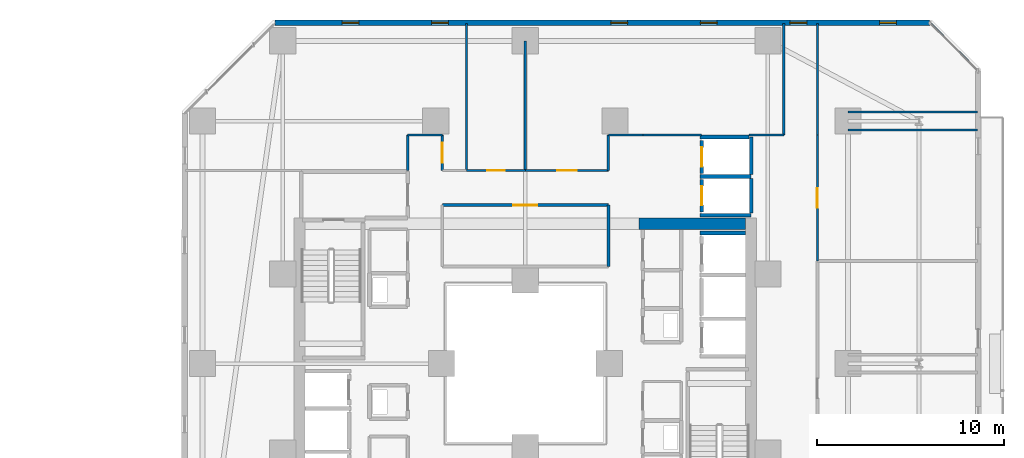
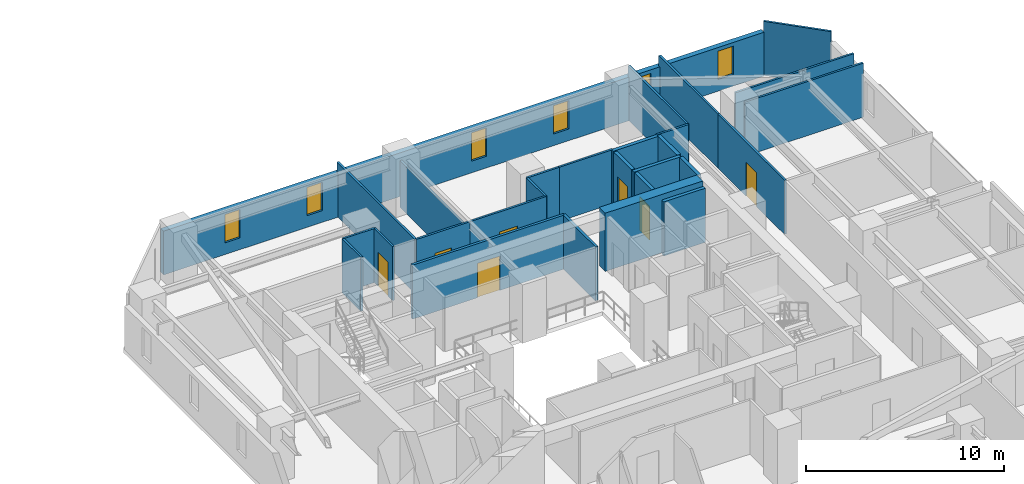
# One storey, part 25 of 33: 29 walls, 7 doors, 6 windows, 13 openings.
"""IFC4 building model written with IfcOpenShell, lengths in metres."""

from ifc_helpers import new_model, si_unit, direction, frame, frame_2d, origin, place, context, subcontext, project, spatial, rectangle, extrude, material, layer, layer_set, type_object, element, fill, save


model = new_model("IFC4")

# Units and contexts
model_context = context("Model", 3, precision=1e-05, world=origin(), true_north=direction((0.0, 1.0)))
body_context = subcontext(model_context, "Body", "Model", "MODEL_VIEW")
ifc_project = project(units=[si_unit("LENGTHUNIT", "METRE"), si_unit("AREAUNIT", "SQUARE_METRE"), si_unit("VOLUMEUNIT", "CUBIC_METRE"), si_unit("PLANEANGLEUNIT", "RADIAN"), si_unit("MASSUNIT", "GRAM", prefix="KILO")], contexts=[model_context])

# Site, building, storey
site_placement = place(None, origin())
site = spatial("IfcSite", under=ifc_project, at=site_placement, CompositionType="ELEMENT")
building_placement = place(site_placement, origin())
building = spatial("IfcBuilding", under=site, at=building_placement, Name="Thornwick Lancets Civic Towers", CompositionType="ELEMENT")
storey_placement = place(building_placement, frame((0.0, 0.0, 42.300048828125)))
storey = spatial("IfcBuildingStorey", under=building, at=storey_placement, Name="L10", CompositionType="ELEMENT", Elevation=42.300048828125)

# Wall, opening, door
ifc_material_1 = material(Name="Concrete blockwork C40/50", Category="masonry")
ifc_layer_1 = layer(ifc_material_1, 0.199951171875, Name="Concrete blockwork C40/50")
ifc_layer_set_1 = layer_set([ifc_layer_1], Name="Concrete blockwork C40/50")
wall_type_1 = type_object("IfcWallType", Name="WALL_COMP_200", PredefinedType="STANDARD", material=ifc_layer_set_1)
wall_1_placement = place(storey_placement, frame((97.949951171875, 36.8701171875, 0.0), z_axis=(0.0, 0.0, 1.0), x_axis=(0.0, -1.0, 0.0)))
wall_1 = element("IfcWall", 1, at=wall_1_placement, inside=storey, type_object=wall_type_1, Name="L10 Hoistway Front Wall PL-BL2", PredefinedType="STANDARD", context=body_context, shape_type="SweptSolid", body=[
    extrude(rectangle(XDim=1.740234375, YDim=0.199951171875, at=frame_2d((0.8701171875, 0.0))), origin(), (0.0, 0.0, 1.0), 3.33984375),
])
opening_1_placement = place(wall_1_placement, frame((0.360107421875, 0.0, 0.0)))
opening_1 = element("IfcOpeningElement", 2, at=opening_1_placement, cuts=wall_1, Name="Opening LD-PL-BL2", PredefinedType="OPENING", context=body_context, shape_type="SweptSolid", body=[
    extrude(rectangle(XDim=1.02001953125, YDim=2.06005859375, at=frame_2d((0.510009765625, 1.030029296875))), frame((0.0, 0.10986328125, 0.0), z_axis=(0.0, -1.0, 0.0), x_axis=(1.0, 0.0, 0.0)), (0.0, 0.0, 1.0), 0.219970703125),
])
ifc_material_2 = material(Name="Brushed bronze stainless steel", Category="steel")
door_type_1 = type_object("IfcDoorType", Name="DOOR_LIFT_SLIDE", OperationType="SLIDING_TO_LEFT", PredefinedType="DOOR", material=ifc_material_2)
door_1_placement = place(opening_1_placement, origin())
door_1 = element("IfcDoor", 3, at=door_1_placement, inside=storey, type_object=door_type_1, Name="L10 Sliding Lift Landing Door LD-PL-BL2", OperationType="SLIDING_TO_LEFT", OverallHeight=2.06005859375, OverallWidth=1.02001953125, PredefinedType="DOOR", context=body_context, shape_type="SweptSolid", body=[
    extrude(rectangle(XDim=1.02001953125, YDim=2.06005859375, at=frame_2d((0.510009765625, 1.030029296875))), frame((0.0, 0.02490234375, 0.0), z_axis=(0.0, -1.0, 0.0), x_axis=(1.0, 0.0, 0.0)), (0.0, 0.0, 1.0), 0.050048828125),
])
fill(opening_1, door_1)

wall_2_placement = place(storey_placement, frame((97.949951171875, 38.969970703125, 0.0), z_axis=(0.0, 0.0, 1.0), x_axis=(0.0, -1.0, 0.0)))
wall_2 = element("IfcWall", 4, at=wall_2_placement, inside=storey, type_object=wall_type_1, Name="L10 Hoistway Front Wall PL-BL3", PredefinedType="STANDARD", context=body_context, shape_type="SweptSolid", body=[
    extrude(rectangle(XDim=1.7900390625, YDim=0.199951171875, at=frame_2d((0.89501953125, 0.0))), origin(), (0.0, 0.0, 1.0), 3.33984375),
])
opening_2_placement = place(wall_2_placement, frame((0.385009765625, 0.0, 0.0)))
opening_2 = element("IfcOpeningElement", 5, at=opening_2_placement, cuts=wall_2, Name="Opening LD-PL-BL3", PredefinedType="OPENING", context=body_context, shape_type="SweptSolid", body=[
    extrude(rectangle(XDim=1.02001953125, YDim=2.06005859375, at=frame_2d((0.510009765625, 1.030029296875))), frame((0.0, 0.10986328125, 0.0), z_axis=(0.0, -1.0, 0.0), x_axis=(1.0, 0.0, 0.0)), (0.0, 0.0, 1.0), 0.219970703125),
])
door_2_placement = place(opening_2_placement, origin())
door_2 = element("IfcDoor", 6, at=door_2_placement, inside=storey, type_object=door_type_1, Name="L10 Sliding Lift Landing Door LD-PL-BL3", OperationType="SLIDING_TO_LEFT", OverallHeight=2.06005859375, OverallWidth=1.02001953125, PredefinedType="DOOR", context=body_context, shape_type="SweptSolid", body=[
    extrude(rectangle(XDim=1.02001953125, YDim=2.06005859375, at=frame_2d((0.510009765625, 1.030029296875))), frame((0.0, 0.02490234375, 0.0), z_axis=(0.0, -1.0, 0.0), x_axis=(1.0, 0.0, 0.0)), (0.0, 0.0, 1.0), 0.050048828125),
])
fill(opening_2, door_2)

# Walls
wall_3_placement = place(storey_placement, frame((97.85205078125, 34.0, 0.0), z_axis=(0.0, 0.0, 1.0), x_axis=(1.0, 0.0, 0.0)))
element("IfcWall", 7, at=wall_3_placement, inside=storey, type_object=wall_type_1, Name="L10 Hoistway Shaft Wall PL-BL1 N", PredefinedType="STANDARD", context=body_context, shape_type="SweptSolid", body=[
    extrude(rectangle(XDim=2.43603515625, YDim=0.199951171875, at=frame_2d((1.218017578125, 0.0))), origin(), (0.0, 0.0, 1.0), 3.33984375),
])
for number, where, z_axis, x_axis, name in (
    (8, (97.85205078125, 37.02490234375, 0.0), (0.0, 0.0, 1.0), (1.0, 0.0, 0.0), "L10 Hoistway Shaft Wall PL-BL2 N"),
    (9, (97.85205078125, 34.949951171875, 0.0), (0.0, 0.0, 1.0), (1.0, 0.0, 0.0), "L10 Hoistway Shaft Wall PL-BL2 S"),
):
    element("IfcWall", number, at=place(storey_placement, frame(where, z_axis=z_axis, x_axis=x_axis)), inside=storey, type_object=wall_type_1, Name=name, PredefinedType="STANDARD", context=body_context, shape_type="SweptSolid", body=[
        extrude(rectangle(XDim=2.745849609375, YDim=0.199951171875, at=frame_2d((1.373046875, 0.0))), origin(), (0.0, 0.0, 1.0), 3.33984375),
    ])
wall_4_placement = place(storey_placement, frame((100.60009765625, 35.06201171875, 0.0), z_axis=(0.0, 0.0, 1.0), x_axis=(0.0, 1.0, 0.0)))
element("IfcWall", 10, at=wall_4_placement, inside=storey, type_object=wall_type_1, Name="L10 Hoistway Shaft Wall PL-BL2 E", PredefinedType="STANDARD", context=body_context, shape_type="SweptSolid", body=[
    extrude(rectangle(XDim=1.85595703125, YDim=0.199951171875, at=frame_2d((0.927978515625, 0.0))), origin(), (0.0, 0.0, 1.0), 3.33984375),
])
wall_5_placement = place(storey_placement, frame((100.60009765625, 37.132080078125, 0.0), z_axis=(0.0, 0.0, 1.0), x_axis=(0.0, 1.0, 0.0)))
element("IfcWall", 11, at=wall_5_placement, inside=storey, type_object=wall_type_1, Name="L10 Hoistway Shaft Wall PL-BL2 E", PredefinedType="STANDARD", context=body_context, shape_type="SweptSolid", body=[
    extrude(rectangle(XDim=2.015869140625, YDim=0.199951171875, at=frame_2d((1.0078125, 0.0))), origin(), (0.0, 0.0, 1.0), 3.33984375),
])
wall_6_placement = place(storey_placement, frame((97.85205078125, 39.14990234375, 0.0), z_axis=(0.0, 0.0, 1.0), x_axis=(1.0, 0.0, 0.0)))
element("IfcWall", 12, at=wall_6_placement, inside=storey, type_object=wall_type_1, Name="L10 Hoistway Shaft Wall PL-BL3 N", PredefinedType="STANDARD", context=body_context, shape_type="SweptSolid", body=[
    extrude(rectangle(XDim=2.635986328125, YDim=0.199951171875, at=frame_2d((1.31787109375, 0.0))), origin(), (0.0, 0.0, 1.0), 3.33984375),
])
ifc_material_3 = material(Name="Concrete C60/75", Category="concrete")
ifc_layer_2 = layer(ifc_material_3, 0.60009765625, Name="Concrete C60/75")
ifc_layer_set_2 = layer_set([ifc_layer_2], Name="Concrete C60/75")
wall_type_2 = type_object("IfcWallType", Name="WALL_CORE_600", PredefinedType="SHEAR", material=ifc_layer_set_2)
wall_7_placement = place(storey_placement, frame((94.60009765625, 34.5, 0.0), z_axis=(0.0, 0.0, 1.0), x_axis=(1.0, 0.0, 0.0)))
element("IfcWall", 13, at=wall_7_placement, inside=storey, type_object=wall_type_2, Name="L10 Split Core B1 Shear Wall N", PredefinedType="SHEAR", context=body_context, shape_type="SweptSolid", body=[
    extrude(rectangle(XDim=5.699951171875, YDim=0.60009765625, at=frame_2d((2.85009765625, 0.0))), origin(), (0.0, 0.0, 1.0), 3.599853515625),
])

# Wall, openings, windows
ifc_material_4 = material(Name="Insulated russet terracotta rainscreen on concrete C40/50", Category="masonry")
ifc_layer_3 = layer(ifc_material_4, 0.300048828125, Name="Insulated russet terracotta rainscreen on concrete C40/50")
ifc_layer_set_3 = layer_set([ifc_layer_3], Name="Insulated russet terracotta rainscreen on concrete C40/50")
wall_type_3 = type_object("IfcWallType", Name="WALL_EXT_RUSSET_300", PredefinedType="STANDARD", material=ifc_layer_set_3)
wall_8_placement = place(storey_placement, frame((110.18115234375, 45.264892578125, 0.0), z_axis=(0.0, 0.0, 1.0), x_axis=(-0.999999978205, -0.000208784245, 0.0)))
wall_8 = element("IfcWall", 14, at=wall_8_placement, inside=storey, type_object=wall_type_3, Name="L10 Tower B Terracotta Facade Wall E4", PredefinedType="STANDARD", context=body_context, shape_type="SweptSolid", body=[
    extrude(rectangle(XDim=35.080322265625, YDim=0.300048828125, at=frame_2d((17.5400390625, 0.0))), origin(), (0.0, 0.0, 1.0), 2.699951171875),
])
opening_3_placement = place(wall_8_placement, frame((1.800048828125, 0.0, 0.719970703125)))
opening_3 = element("IfcOpeningElement", 15, at=opening_3_placement, cuts=wall_8, Name="Opening WL-01", PredefinedType="OPENING", context=body_context, shape_type="SweptSolid", body=[
    extrude(rectangle(XDim=0.89990234375, YDim=1.75, at=frame_2d((0.449951171875, 0.875))), frame((0.0, 0.16015625, 0.0), z_axis=(0.0, -1.0, 0.0), x_axis=(1.0, 0.0, 0.0)), (0.0, 0.0, 1.0), 0.320068359375),
])
opening_4_placement = place(wall_8_placement, frame((6.60009765625, 0.0, 0.719970703125)))
opening_4 = element("IfcOpeningElement", 16, at=opening_4_placement, cuts=wall_8, Name="Opening WL-01", PredefinedType="OPENING", context=body_context, shape_type="SweptSolid", body=[
    extrude(rectangle(XDim=0.89990234375, YDim=1.75, at=frame_2d((0.449951171875, 0.875))), frame((0.0, 0.16015625, 0.0), z_axis=(0.0, -1.0, 0.0), x_axis=(1.0, 0.0, 0.0)), (0.0, 0.0, 1.0), 0.320068359375),
])
opening_5_placement = place(wall_8_placement, frame((11.39990234375, 0.0, 0.719970703125)))
opening_5 = element("IfcOpeningElement", 17, at=opening_5_placement, cuts=wall_8, Name="Opening WL-01", PredefinedType="OPENING", context=body_context, shape_type="SweptSolid", body=[
    extrude(rectangle(XDim=0.89990234375, YDim=1.75, at=frame_2d((0.449951171875, 0.875))), frame((0.0, 0.16015625, 0.0), z_axis=(0.0, -1.0, 0.0), x_axis=(1.0, 0.0, 0.0)), (0.0, 0.0, 1.0), 0.320068359375),
])
opening_6_placement = place(wall_8_placement, frame((16.199951171875, 0.0, 0.719970703125)))
opening_6 = element("IfcOpeningElement", 18, at=opening_6_placement, cuts=wall_8, Name="Opening WL-01", PredefinedType="OPENING", context=body_context, shape_type="SweptSolid", body=[
    extrude(rectangle(XDim=0.89990234375, YDim=1.75, at=frame_2d((0.449951171875, 0.875))), frame((0.0, 0.16015625, 0.0), z_axis=(0.0, -1.0, 0.0), x_axis=(1.0, 0.0, 0.0)), (0.0, 0.0, 1.0), 0.320068359375),
])
opening_7_placement = place(wall_8_placement, frame((25.800048828125, 0.0, 0.719970703125)))
opening_7 = element("IfcOpeningElement", 19, at=opening_7_placement, cuts=wall_8, Name="Opening WL-01", PredefinedType="OPENING", context=body_context, shape_type="SweptSolid", body=[
    extrude(rectangle(XDim=0.89990234375, YDim=1.75, at=frame_2d((0.449951171875, 0.875))), frame((0.0, 0.16015625, 0.0), z_axis=(0.0, -1.0, 0.0), x_axis=(1.0, 0.0, 0.0)), (0.0, 0.0, 1.0), 0.320068359375),
])
opening_8_placement = place(wall_8_placement, frame((30.60009765625, 0.0, 0.719970703125)))
opening_8 = element("IfcOpeningElement", 20, at=opening_8_placement, cuts=wall_8, Name="Opening WL-01", PredefinedType="OPENING", context=body_context, shape_type="SweptSolid", body=[
    extrude(rectangle(XDim=0.89990234375, YDim=1.75, at=frame_2d((0.449951171875, 0.875))), frame((0.0, 0.16015625, 0.0), z_axis=(0.0, -1.0, 0.0), x_axis=(1.0, 0.0, 0.0)), (0.0, 0.0, 1.0), 0.320068359375),
])
ifc_material_5 = material(Name="Clear low-e double glazing in bronze frame", Category="glass")
window_type = type_object("IfcWindowType", Name="WIN_LANCET_900", PartitioningType="SINGLE_PANEL", PredefinedType="WINDOW", material=ifc_material_5)
window_1_placement = place(opening_3_placement, origin())
window_1 = element("IfcWindow", 21, at=window_1_placement, inside=storey, type_object=window_type, Name="L10 Tower B Staggered Lancet Window E4-1", OverallHeight=1.75, OverallWidth=0.89990234375, PartitioningType="SINGLE_PANEL", PredefinedType="WINDOW", context=body_context, shape_type="SweptSolid", body=[
    extrude(rectangle(XDim=0.89990234375, YDim=1.75, at=frame_2d((0.449951171875, 0.875))), frame((0.0, 0.030029296875, 0.0), z_axis=(0.0, -1.0, 0.0), x_axis=(1.0, 0.0, 0.0)), (0.0, 0.0, 1.0), 0.06005859375),
])
fill(opening_3, window_1)
window_2_placement = place(opening_4_placement, origin())
window_2 = element("IfcWindow", 22, at=window_2_placement, inside=storey, type_object=window_type, Name="L10 Tower B Staggered Lancet Window E4-2", OverallHeight=1.75, OverallWidth=0.89990234375, PartitioningType="SINGLE_PANEL", PredefinedType="WINDOW", context=body_context, shape_type="SweptSolid", body=[
    extrude(rectangle(XDim=0.89990234375, YDim=1.75, at=frame_2d((0.449951171875, 0.875))), frame((0.0, 0.030029296875, 0.0), z_axis=(0.0, -1.0, 0.0), x_axis=(1.0, 0.0, 0.0)), (0.0, 0.0, 1.0), 0.06005859375),
])
fill(opening_4, window_2)
window_3_placement = place(opening_5_placement, origin())
window_3 = element("IfcWindow", 23, at=window_3_placement, inside=storey, type_object=window_type, Name="L10 Tower B Staggered Lancet Window E4-3", OverallHeight=1.75, OverallWidth=0.89990234375, PartitioningType="SINGLE_PANEL", PredefinedType="WINDOW", context=body_context, shape_type="SweptSolid", body=[
    extrude(rectangle(XDim=0.89990234375, YDim=1.75, at=frame_2d((0.449951171875, 0.875))), frame((0.0, 0.030029296875, 0.0), z_axis=(0.0, -1.0, 0.0), x_axis=(1.0, 0.0, 0.0)), (0.0, 0.0, 1.0), 0.06005859375),
])
fill(opening_5, window_3)
window_4_placement = place(opening_6_placement, origin())
window_4 = element("IfcWindow", 24, at=window_4_placement, inside=storey, type_object=window_type, Name="L10 Tower B Staggered Lancet Window E4-4", OverallHeight=1.75, OverallWidth=0.89990234375, PartitioningType="SINGLE_PANEL", PredefinedType="WINDOW", context=body_context, shape_type="SweptSolid", body=[
    extrude(rectangle(XDim=0.89990234375, YDim=1.75, at=frame_2d((0.449951171875, 0.875))), frame((0.0, 0.030029296875, 0.0), z_axis=(0.0, -1.0, 0.0), x_axis=(1.0, 0.0, 0.0)), (0.0, 0.0, 1.0), 0.06005859375),
])
fill(opening_6, window_4)
window_5_placement = place(opening_7_placement, origin())
window_5 = element("IfcWindow", 25, at=window_5_placement, inside=storey, type_object=window_type, Name="L10 Tower B Staggered Lancet Window E4-5", OverallHeight=1.75, OverallWidth=0.89990234375, PartitioningType="SINGLE_PANEL", PredefinedType="WINDOW", context=body_context, shape_type="SweptSolid", body=[
    extrude(rectangle(XDim=0.89990234375, YDim=1.75, at=frame_2d((0.449951171875, 0.875))), frame((0.0, 0.030029296875, 0.0), z_axis=(0.0, -1.0, 0.0), x_axis=(1.0, 0.0, 0.0)), (0.0, 0.0, 1.0), 0.06005859375),
])
fill(opening_7, window_5)
window_6_placement = place(opening_8_placement, origin())
window_6 = element("IfcWindow", 26, at=window_6_placement, inside=storey, type_object=window_type, Name="L10 Tower B Staggered Lancet Window E4-6", OverallHeight=1.75, OverallWidth=0.89990234375, PartitioningType="SINGLE_PANEL", PredefinedType="WINDOW", context=body_context, shape_type="SweptSolid", body=[
    extrude(rectangle(XDim=0.89990234375, YDim=1.75, at=frame_2d((0.449951171875, 0.875))), frame((0.0, 0.030029296875, 0.0), z_axis=(0.0, -1.0, 0.0), x_axis=(1.0, 0.0, 0.0)), (0.0, 0.0, 1.0), 0.06005859375),
])
fill(opening_8, window_6)

# Walls
ifc_material_6 = material(Name="Acoustic gypsum board partition")
ifc_layer_4 = layer(ifc_material_6, 0.1201171875, Name="Acoustic gypsum board partition")
ifc_layer_set_4 = layer_set([ifc_layer_4], Name="Acoustic gypsum board partition")
wall_type_4 = type_object("IfcWallType", Name="WALL_PART_120", PredefinedType="PARTITIONING", material=ifc_layer_set_4)
wall_9_placement = place(storey_placement, frame((97.949951171875, 39.25, 0.0), z_axis=(0.0, 0.0, 1.0), x_axis=(-1.0, 0.0, 0.0)))
element("IfcWall", 27, at=wall_9_placement, inside=storey, type_object=wall_type_4, Name="L10 Partition L10-B-E1 E1", PredefinedType="PARTITIONING", context=body_context, shape_type="SweptSolid", body=[
    extrude(rectangle(XDim=3.14990234375, YDim=0.1201171875, at=frame_2d((1.574951171875, 0.0))), origin(), (0.0, 0.0, 1.0), 3.33984375),
])
wall_10_placement = place(storey_placement, frame((94.800048828125, 39.25, 0.0), z_axis=(0.0, 0.0, 1.0), x_axis=(-1.0, 0.0, 0.0)))
element("IfcWall", 28, at=wall_10_placement, inside=storey, type_object=wall_type_4, Name="L10 Partition L10-B-E1 E2", PredefinedType="PARTITIONING", context=body_context, shape_type="SweptSolid", body=[
    extrude(rectangle(XDim=1.85009765625, YDim=0.1201171875, at=frame_2d((0.925048828125, 0.0))), origin(), (0.0, 0.0, 1.0), 3.33984375),
])
wall_11_placement = place(storey_placement, frame((92.949951171875, 39.25, 0.0), z_axis=(0.0, 0.0, 1.0), x_axis=(0.0, -1.0, 0.0)))
element("IfcWall", 29, at=wall_11_placement, inside=storey, type_object=wall_type_4, Name="L10 Partition L10-B-E1 E3", PredefinedType="PARTITIONING", context=body_context, shape_type="SweptSolid", body=[
    extrude(rectangle(XDim=1.89990234375, YDim=0.1201171875, at=frame_2d((0.949951171875, 0.0))), origin(), (0.0, 0.0, 1.0), 3.33984375),
])

# Wall, opening, door
wall_12_placement = place(storey_placement, frame((92.949951171875, 37.35009765625, 0.0), z_axis=(0.0, 0.0, 1.0), x_axis=(-1.0, 0.0, 0.0)))
wall_12 = element("IfcWall", 30, at=wall_12_placement, inside=storey, type_object=wall_type_4, Name="L10 Partition L10-B-E1 E4", PredefinedType="PARTITIONING", context=body_context, shape_type="SweptSolid", body=[
    extrude(rectangle(XDim=4.449951171875, YDim=0.1201171875, at=frame_2d((2.22509765625, 0.0))), origin(), (0.0, 0.0, 1.0), 3.33984375),
])
opening_9_placement = place(wall_12_placement, frame((1.699951171875, 0.0, 0.0)))
opening_9 = element("IfcOpeningElement", 31, at=opening_9_placement, cuts=wall_12, Name="Opening D-L10-0525", PredefinedType="OPENING", context=body_context, shape_type="SweptSolid", body=[
    extrude(rectangle(XDim=1.050048828125, YDim=2.10009765625, at=frame_2d((0.52490234375, 1.050048828125))), frame((0.0, 0.070068359375, 0.0), z_axis=(0.0, -1.0, 0.0), x_axis=(1.0, 0.0, 0.0)), (0.0, 0.0, 1.0), 0.14013671875),
])
ifc_material_7 = material(Name="Glazed European oak executive doorset")
door_type_2 = type_object("IfcDoorType", Name="DOOR_OFFICE_1050", OperationType="NOTDEFINED", PredefinedType="DOOR", material=ifc_material_7)
door_3_placement = place(opening_9_placement, origin())
door_3 = element("IfcDoor", 32, at=door_3_placement, inside=storey, type_object=door_type_2, Name="L10 Tower B Secretariat Open Office E1 Door", OperationType="SINGLE_SWING_RIGHT", OverallHeight=2.10009765625, OverallWidth=1.050048828125, PredefinedType="DOOR", context=body_context, shape_type="SweptSolid", body=[
    extrude(rectangle(XDim=1.050048828125, YDim=2.10009765625, at=frame_2d((0.52490234375, 1.050048828125))), frame((0.0, 0.02490234375, 0.0), z_axis=(0.0, -1.0, 0.0), x_axis=(1.0, 0.0, 0.0)), (0.0, 0.0, 1.0), 0.050048828125),
])
fill(opening_9, door_3)

# Walls
wall_13_placement = place(storey_placement, frame((88.5, 37.35009765625, 0.0), z_axis=(0.0, 0.0, 1.0), x_axis=(0.0, 1.0, 0.0)))
element("IfcWall", 33, at=wall_13_placement, inside=storey, type_object=wall_type_4, Name="L10 Partition L10-B-E1 E5", PredefinedType="PARTITIONING", context=body_context, shape_type="SweptSolid", body=[
    extrude(rectangle(XDim=6.949951171875, YDim=0.1201171875, at=frame_2d((3.47509765625, 0.0))), origin(), (0.0, 0.0, 1.0), 2.881591796875),
])
wall_14_placement = place(storey_placement, frame((102.35009765625, 45.219970703125, 0.0), z_axis=(0.0, 0.0, 1.0), x_axis=(0.0, -1.0, 0.0)))
element("IfcWall", 34, at=wall_14_placement, inside=storey, type_object=wall_type_4, Name="L10 Partition L10-B-E1 E13", PredefinedType="PARTITIONING", context=body_context, shape_type="SweptSolid", body=[
    extrude(rectangle(XDim=5.969970703125, YDim=0.1201171875, at=frame_2d((2.98486328125, 0.0))), origin(), (0.0, 0.0, 1.0), 3.33984375),
])
wall_15_placement = place(storey_placement, frame((102.35009765625, 39.25, 0.0), z_axis=(0.0, 0.0, 1.0), x_axis=(-1.0, 0.0, 0.0)))
element("IfcWall", 35, at=wall_15_placement, inside=storey, type_object=wall_type_4, Name="L10 Partition L10-B-E1 E14", PredefinedType="PARTITIONING", context=body_context, shape_type="SweptSolid", body=[
    extrude(rectangle(XDim=1.862060546875, YDim=0.1201171875, at=frame_2d((0.93115234375, 0.0))), origin(), (0.0, 0.0, 1.0), 3.33984375),
])
wall_16_placement = place(storey_placement, frame((85.35009765625, 37.35009765625, 0.0), z_axis=(0.0, 0.0, 1.0), x_axis=(0.0, 1.0, 0.0)))
element("IfcWall", 36, at=wall_16_placement, inside=storey, type_object=wall_type_4, Name="L10 Partition L10-B-E2 E1", PredefinedType="PARTITIONING", context=body_context, shape_type="SweptSolid", body=[
    extrude(rectangle(XDim=7.869873046875, YDim=0.1201171875, at=frame_2d((3.93505859375, 0.0))), origin(), (0.0, 0.0, 1.0), 3.33984375),
])

# Wall, opening, door
wall_17_placement = place(storey_placement, frame((88.5, 37.35009765625, 0.0), z_axis=(0.0, 0.0, 1.0), x_axis=(-1.0, 0.0, 0.0)))
wall_17 = element("IfcWall", 37, at=wall_17_placement, inside=storey, type_object=wall_type_4, Name="L10 Partition L10-B-E2 E6", PredefinedType="PARTITIONING", context=body_context, shape_type="SweptSolid", body=[
    extrude(rectangle(XDim=3.14990234375, YDim=0.1201171875, at=frame_2d((1.574951171875, 0.0))), origin(), (0.0, 0.0, 1.0), 3.33984375),
])
opening_10_placement = place(wall_17_placement, frame((1.10009765625, 0.0, 0.0)))
opening_10 = element("IfcOpeningElement", 38, at=opening_10_placement, cuts=wall_17, Name="Opening D-L10-0526", PredefinedType="OPENING", context=body_context, shape_type="SweptSolid", body=[
    extrude(rectangle(XDim=0.949951171875, YDim=2.10009765625, at=frame_2d((0.47509765625, 1.050048828125))), frame((0.0, 0.070068359375, 0.0), z_axis=(0.0, -1.0, 0.0), x_axis=(1.0, 0.0, 0.0)), (0.0, 0.0, 1.0), 0.14013671875),
])
ifc_material_8 = material(Name="European oak acoustic doorset")
door_type_3 = type_object("IfcDoorType", Name="DOOR_OFFICE_950", OperationType="NOTDEFINED", PredefinedType="DOOR", material=ifc_material_8)
door_4_placement = place(opening_10_placement, origin())
door_4 = element("IfcDoor", 39, at=door_4_placement, inside=storey, type_object=door_type_3, Name="L10 Tower B Visitors Reception and Waiting Door", OperationType="SINGLE_SWING_LEFT", OverallHeight=2.10009765625, OverallWidth=0.949951171875, PredefinedType="DOOR", context=body_context, shape_type="SweptSolid", body=[
    extrude(rectangle(XDim=0.949951171875, YDim=2.10009765625, at=frame_2d((0.47509765625, 1.050048828125))), frame((0.0, 0.02490234375, 0.0), z_axis=(0.0, -1.0, 0.0), x_axis=(1.0, 0.0, 0.0)), (0.0, 0.0, 1.0), 0.050048828125),
])
fill(opening_10, door_4)

wall_18_placement = place(storey_placement, frame((84.050048828125, 37.35009765625, 0.0), z_axis=(0.0, 0.0, 1.0), x_axis=(0.0, 1.0, 0.0)))
wall_18 = element("IfcWall", 40, at=wall_18_placement, inside=storey, type_object=wall_type_4, Name="L10 Partition L10-B-E3 E1", PredefinedType="PARTITIONING", context=body_context, shape_type="SweptSolid", body=[
    extrude(rectangle(XDim=1.89990234375, YDim=0.1201171875, at=frame_2d((0.949951171875, 0.0))), origin(), (0.0, 0.0, 1.0), 3.33984375),
])
opening_11_placement = place(wall_18_placement, frame((0.425048828125, 0.0, 0.0)))
opening_11 = element("IfcOpeningElement", 41, at=opening_11_placement, cuts=wall_18, Name="Opening D-L10-0527", PredefinedType="OPENING", context=body_context, shape_type="SweptSolid", body=[
    extrude(rectangle(XDim=1.050048828125, YDim=2.10009765625, at=frame_2d((0.52490234375, 1.050048828125))), frame((0.0, 0.070068359375, 0.0), z_axis=(0.0, -1.0, 0.0), x_axis=(1.0, 0.0, 0.0)), (0.0, 0.0, 1.0), 0.14013671875),
])
door_5_placement = place(opening_11_placement, origin())
door_5 = element("IfcDoor", 42, at=door_5_placement, inside=storey, type_object=door_type_2, Name="L10 Tower B Civic Seminar Room Door", OperationType="SINGLE_SWING_RIGHT", OverallHeight=2.10009765625, OverallWidth=1.050048828125, PredefinedType="DOOR", context=body_context, shape_type="SweptSolid", body=[
    extrude(rectangle(XDim=1.050048828125, YDim=2.10009765625, at=frame_2d((0.52490234375, 1.050048828125))), frame((0.0, 0.02490234375, 0.0), z_axis=(0.0, -1.0, 0.0), x_axis=(1.0, 0.0, 0.0)), (0.0, 0.0, 1.0), 0.050048828125),
])
fill(opening_11, door_5)

# Walls
wall_19_placement = place(storey_placement, frame((84.050048828125, 39.25, 0.0), z_axis=(0.0, 0.0, 1.0), x_axis=(-1.0, 0.0, 0.0)))
element("IfcWall", 43, at=wall_19_placement, inside=storey, type_object=wall_type_4, Name="L10 Partition L10-B-E3 E2", PredefinedType="PARTITIONING", context=body_context, shape_type="SweptSolid", body=[
    extrude(rectangle(XDim=1.85009765625, YDim=0.1201171875, at=frame_2d((0.925048828125, 0.0))), origin(), (0.0, 0.0, 1.0), 3.33984375),
])
wall_20_placement = place(storey_placement, frame((82.199951171875, 39.25, 0.0), z_axis=(0.0, 0.0, 1.0), x_axis=(0.0, -1.0, 0.0)))
element("IfcWall", 44, at=wall_20_placement, inside=storey, type_object=wall_type_4, Name="L10 Partition L10-B-E3 E3", PredefinedType="PARTITIONING", context=body_context, shape_type="SweptSolid", body=[
    extrude(rectangle(XDim=1.89990234375, YDim=0.1201171875, at=frame_2d((0.949951171875, 0.0))), origin(), (0.0, 0.0, 1.0), 3.33984375),
])

# Wall, opening, door
wall_21_placement = place(storey_placement, frame((104.14990234375, 32.5, 0.0), z_axis=(0.0, 0.0, 1.0), x_axis=(0.0, 1.0, 0.0)))
wall_21 = element("IfcWall", 45, at=wall_21_placement, inside=storey, type_object=wall_type_4, Name="L10 Partition L10-B-S-OFF2 E1", PredefinedType="PARTITIONING", context=body_context, shape_type="SweptSolid", body=[
    extrude(rectangle(XDim=6.75, YDim=0.1201171875, at=frame_2d((3.375, 0.0))), origin(), (0.0, 0.0, 1.0), 3.33984375),
])
opening_12_placement = place(wall_21_placement, frame((2.85009765625, 0.0, 0.0)))
opening_12 = element("IfcOpeningElement", 46, at=opening_12_placement, cuts=wall_21, Name="Opening D-L10-0532", PredefinedType="OPENING", context=body_context, shape_type="SweptSolid", body=[
    extrude(rectangle(XDim=1.050048828125, YDim=2.10009765625, at=frame_2d((0.52490234375, 1.050048828125))), frame((0.0, 0.070068359375, 0.0), z_axis=(0.0, -1.0, 0.0), x_axis=(1.0, 0.0, 0.0)), (0.0, 0.0, 1.0), 0.14013671875),
])
door_6_placement = place(opening_12_placement, origin())
door_6 = element("IfcDoor", 47, at=door_6_placement, inside=storey, type_object=door_type_2, Name="L10 Tower B South-East Division Office Door", OperationType="SINGLE_SWING_LEFT", OverallHeight=2.10009765625, OverallWidth=1.050048828125, PredefinedType="DOOR", context=body_context, shape_type="SweptSolid", body=[
    extrude(rectangle(XDim=1.050048828125, YDim=2.10009765625, at=frame_2d((0.52490234375, 1.050048828125))), frame((0.0, 0.02490234375, 0.0), z_axis=(0.0, -1.0, 0.0), x_axis=(1.0, 0.0, 0.0)), (0.0, 0.0, 1.0), 0.050048828125),
])
fill(opening_12, door_6)

# Walls
wall_22_placement = place(storey_placement, frame((104.14990234375, 39.25, 0.0), z_axis=(0.0, 0.0, 1.0), x_axis=(0.0, 1.0, 0.0)))
element("IfcWall", 48, at=wall_22_placement, inside=storey, type_object=wall_type_4, Name="L10 Partition L10-B-S-OFF2 E2", PredefinedType="PARTITIONING", context=body_context, shape_type="SweptSolid", body=[
    extrude(rectangle(XDim=5.969970703125, YDim=0.1201171875, at=frame_2d((2.98486328125, 0.0))), origin(), (0.0, 0.0, 1.0), 3.33984375),
])
wall_23_placement = place(storey_placement, frame((110.225341796875, 45.219970703125, 0.0), z_axis=(0.0, 0.0, 1.0), x_axis=(0.707106781187, -0.707106781187, 0.0)))
element("IfcWall", 49, at=wall_23_placement, inside=storey, type_object=wall_type_4, Name="L10 Partition L10-B-S-OFF2 E4", PredefinedType="PARTITIONING", context=body_context, shape_type="SweptSolid", body=[
    extrude(rectangle(XDim=3.52783203125, YDim=0.1201171875, at=frame_2d((1.763916015625, 0.0))), origin(), (0.0, 0.0, 1.0), 3.33984375),
])
for number, where, z_axis, x_axis, name in (
    (50, (112.719970703125, 40.47998046875, 0.0), (0.0, 0.0, 1.0), (-1.0, 0.0, 0.0), "L10 Partition L10-B-S-OFF2 E6"),
    (51, (105.800048828125, 39.52001953125, 0.0), (0.0, 0.0, 1.0), (1.0, 0.0, 0.0), "L10 Partition L10-B-S-OFF2 E8"),
):
    element("IfcWall", number, at=place(storey_placement, frame(where, z_axis=z_axis, x_axis=x_axis)), inside=storey, type_object=wall_type_4, Name=name, PredefinedType="PARTITIONING", context=body_context, shape_type="SweptSolid", body=[
        extrude(rectangle(XDim=6.919921875, YDim=0.1201171875, at=frame_2d((3.4599609375, 0.0))), origin(), (0.0, 0.0, 1.0), 3.33984375),
    ])

# Wall, opening, door
ifc_material_9 = material(Name="Twin-stud acoustic gypsum board")
ifc_layer_5 = layer(ifc_material_9, 0.14990234375, Name="Twin-stud acoustic gypsum board")
ifc_layer_set_5 = layer_set([ifc_layer_5], Name="Twin-stud acoustic gypsum board")
wall_type_5 = type_object("IfcWallType", Name="WALL_PART_150", PredefinedType="PARTITIONING", material=ifc_layer_set_5)
wall_24_placement = place(storey_placement, frame((84.050048828125, 35.5, 0.0), z_axis=(0.0, 0.0, 1.0), x_axis=(1.0, 0.0, 0.0)))
wall_24 = element("IfcWall", 52, at=wall_24_placement, inside=storey, type_object=wall_type_5, Name="L10 Partition L10-B-ATR-E E2", PredefinedType="PARTITIONING", context=body_context, shape_type="SweptSolid", body=[
    extrude(rectangle(XDim=8.89990234375, YDim=0.14990234375, at=frame_2d((4.449951171875, 0.0))), origin(), (0.0, 0.0, 1.0), 3.33984375),
])
opening_13_placement = place(wall_24_placement, frame((3.800048828125, 0.0, 0.0)))
opening_13 = element("IfcOpeningElement", 53, at=opening_13_placement, cuts=wall_24, Name="Opening D-L10-0528", PredefinedType="OPENING", context=body_context, shape_type="SweptSolid", body=[
    extrude(rectangle(XDim=1.300048828125, YDim=2.1201171875, at=frame_2d((0.64990234375, 1.06005859375))), frame((0.0, 0.0849609375, 0.0), z_axis=(0.0, -1.0, 0.0), x_axis=(1.0, 0.0, 0.0)), (0.0, 0.0, 1.0), 0.169921875),
])
ifc_material_10 = material(Name="Acoustic oak leaf-and-a-half doorset")
door_type_4 = type_object("IfcDoorType", Name="DOOR_MEET_1300", OperationType="DOUBLE_DOOR_SINGLE_SWING", PredefinedType="DOOR", material=ifc_material_10)
door_7_placement = place(opening_13_placement, origin())
door_7 = element("IfcDoor", 54, at=door_7_placement, inside=storey, type_object=door_type_4, Name="L10 Tower B East Atrium Briefing Suite Door", OperationType="DOUBLE_DOOR_SINGLE_SWING", OverallHeight=2.1201171875, OverallWidth=1.300048828125, PredefinedType="DOOR", context=body_context, shape_type="SweptSolid", body=[
    extrude(rectangle(XDim=1.300048828125, YDim=2.1201171875, at=frame_2d((0.64990234375, 1.06005859375))), frame((0.0, 0.02490234375, 0.0), z_axis=(0.0, -1.0, 0.0), x_axis=(1.0, 0.0, 0.0)), (0.0, 0.0, 1.0), 0.050048828125),
])
fill(opening_13, door_7)

# Wall
wall_25_placement = place(storey_placement, frame((92.949951171875, 35.5, 0.0), z_axis=(0.0, 0.0, 1.0), x_axis=(0.0, -1.0, 0.0)))
element("IfcWall", 55, at=wall_25_placement, inside=storey, type_object=wall_type_5, Name="L10 Partition L10-B-ATR-E E3", PredefinedType="PARTITIONING", context=body_context, shape_type="SweptSolid", body=[
    extrude(rectangle(XDim=3.300048828125, YDim=0.14990234375, at=frame_2d((1.64990234375, 0.0))), origin(), (0.0, 0.0, 1.0), 3.33984375),
])

save(model, "model.ifc")
